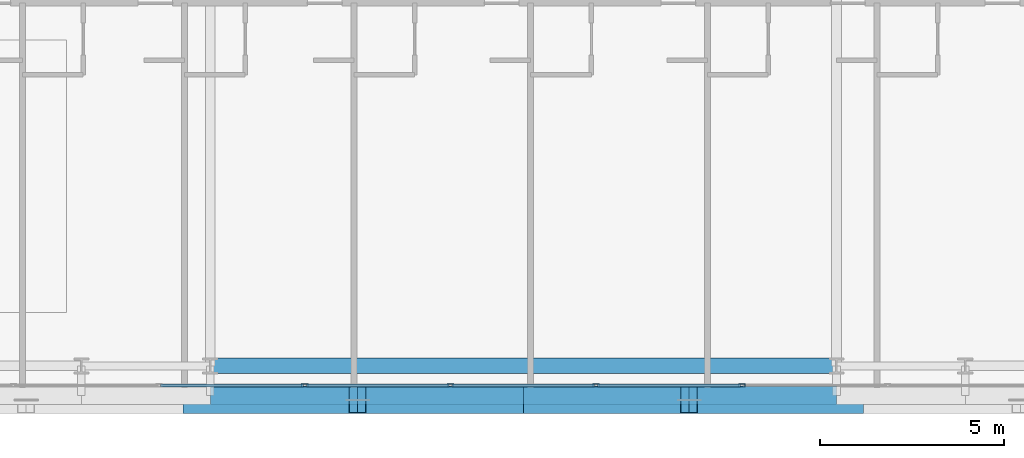
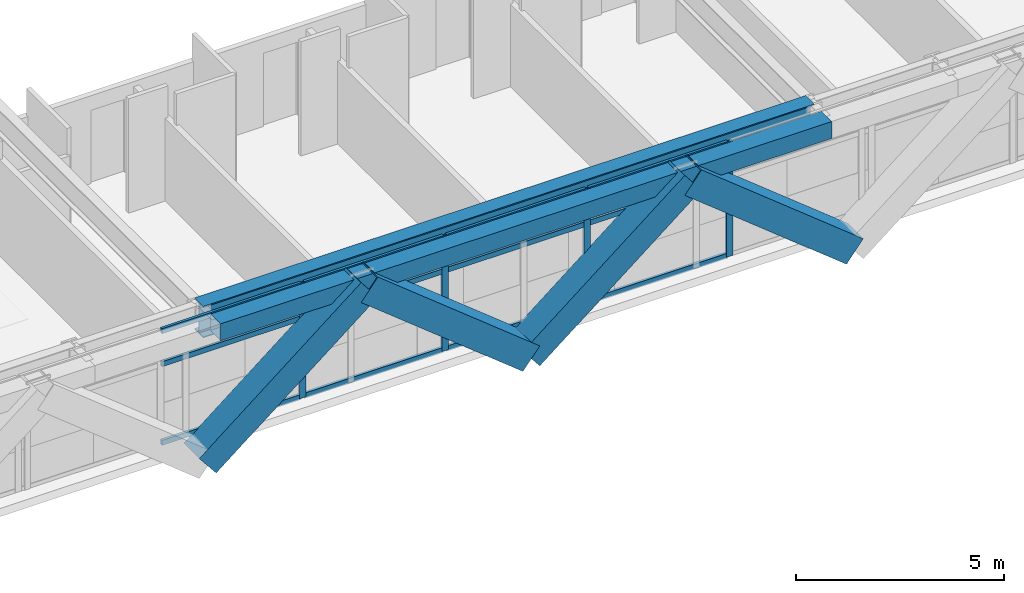
# One storey, part 5 of 39: 20 members, 2 beams, 1 element without a shape of its own.
"""IFC4 building model written with IfcOpenShell, lengths in metres."""

import ifcopenshell
import ifcopenshell.guid

model = None  # the IFC model being written
_history = None  # IfcOwnerHistory: only IFC2X3 demands one
_inside = {}  # id of a spatial element -> (the spatial element, [elements in it])
_under = {}  # id of a project, library or spatial element -> (it, [spatial elements below it])
_declared = {}  # id of a project -> (the project, [libraries it declares])
_typed = {}  # id of a type object -> (the type object, [elements of that type])
_made_of = {}  # id of a material, layer set ... -> (it, [elements and type objects made of it])


def new_model(schema):
    """Start an empty IFC model of exactly this schema.

    Asked for "IFC4X3", IfcOpenShell would pick the latest addendum, in which some entities
    have other attributes; the version numbers below select the first issue.
    IFC2X3 requires an IfcOwnerHistory on every rooted entity: one is made here for all.
    """
    global model, _history
    if schema == "IFC4X3":
        model = ifcopenshell.file(schema_version=(4, 3, 0, 0))
    else:
        model = ifcopenshell.file(schema=schema)
    _inside.clear()
    _under.clear()
    _declared.clear()
    _typed.clear()
    _made_of.clear()
    _history = None
    if model.schema == "IFC2X3":
        org = make("IfcOrganization", Name="unknown")
        user = make(
            "IfcPersonAndOrganization",
            ThePerson=make("IfcPerson", FamilyName="unknown"),
            TheOrganization=org,
        )
        app = make(
            "IfcApplication",
            ApplicationDeveloper=org,
            Version="unknown",
            ApplicationFullName="unknown",
            ApplicationIdentifier="unknown",
        )
        _history = make(
            "IfcOwnerHistory",
            OwningUser=user,
            OwningApplication=app,
            ChangeAction="ADDED",
            CreationDate=0,
        )
    return model


def make(cls, **values):
    """One entity of the class cls with the attributes given. An attribute that is None is left unset."""
    return model.create_entity(
        cls, **{name: value for name, value in values.items() if value is not None}
    )


def rooted(cls, **values):
    """An entity with a GlobalId (a new one), such as an element, a storey or a relation."""
    return make(cls, GlobalId=ifcopenshell.guid.new(), OwnerHistory=_history, **values)


def si_unit(unit_type, name, prefix=None):
    """IfcSIUnit, for example si_unit("LENGTHUNIT", "METRE", prefix="MILLI")."""
    return make("IfcSIUnit", UnitType=unit_type, Prefix=prefix, Name=name)


def assignment(units):
    """IfcUnitAssignment: the units of a project."""
    return None if units is None else make("IfcUnitAssignment", Units=units)


def point(xyz):
    """IfcCartesianPoint."""
    return None if xyz is None else make("IfcCartesianPoint", Coordinates=xyz)


def direction(xyz):
    """IfcDirection."""
    return None if xyz is None else make("IfcDirection", DirectionRatios=xyz)


def frame(location, z_axis=None, x_axis=None):
    """IfcAxis2Placement3D, a coordinate frame: its origin and axes. An axis left out is left unset."""
    return make(
        "IfcAxis2Placement3D",
        Location=point(location),
        Axis=direction(z_axis),
        RefDirection=direction(x_axis),
    )


def frame_2d(location, x_axis=None):
    """IfcAxis2Placement2D, a coordinate frame in the plane: its origin and x axis."""
    return make(
        "IfcAxis2Placement2D", Location=point(location), RefDirection=direction(x_axis)
    )


def origin():
    """The frame at (0, 0, 0) with its axes left unset."""
    return frame((0.0, 0.0, 0.0))


def origin_2d():
    """The frame at (0, 0) in the plane with its x axis left unset."""
    return frame_2d((0.0, 0.0))


def place(relative_to, where):
    """IfcLocalPlacement: puts the frame where relative to a parent placement (None: the world)."""
    return make(
        "IfcLocalPlacement", PlacementRelTo=relative_to, RelativePlacement=where
    )


def context(
    kind, dimensions, precision=None, world=None, true_north=None, identifier=None
):
    """IfcGeometricRepresentationContext, for example the 3D "Model" context."""
    return make(
        "IfcGeometricRepresentationContext",
        ContextIdentifier=identifier,
        ContextType=kind,
        CoordinateSpaceDimension=dimensions,
        Precision=precision,
        WorldCoordinateSystem=world,
        TrueNorth=true_north,
    )


def subcontext(parent, identifier, kind, view, scale=None):
    """IfcGeometricRepresentationSubContext, for example "Body" below "Model"."""
    return make(
        "IfcGeometricRepresentationSubContext",
        ContextIdentifier=identifier,
        ContextType=kind,
        ParentContext=parent,
        TargetScale=scale,
        TargetView=view,
    )


def project(units=None, contexts=None):
    """IfcProject with its units and contexts."""
    return rooted(
        "IfcProject",
        Name="project",
        RepresentationContexts=contexts,
        UnitsInContext=assignment(units),
    )


def spatial(cls, under=None, at=None, **own):
    """A site, building, storey or space (cls), placed at a placement, below another one or the project."""
    s = rooted(cls, ObjectPlacement=at, **own)
    if under is not None:
        _under.setdefault(under.id(), (under, []))[1].append(s)
    return s


def profile(cls, at=None, kind="AREA", **sizes):
    """A parametric profile (cls). Its sizes go by their IFC names, for example OverallWidth=200.0."""
    return make(cls, ProfileType=kind, Position=at, **sizes)


def hollow_rectangle(**sizes):
    """IfcRectangleHollowProfileDef."""
    return profile("IfcRectangleHollowProfileDef", **sizes)


def i_section(**sizes):
    """IfcIShapeProfileDef."""
    return profile("IfcIShapeProfileDef", **sizes)


def extrude(swept, where, along, depth):
    """IfcExtrudedAreaSolid: the profile swept, set in the frame where, extruded along a direction by depth."""
    return make(
        "IfcExtrudedAreaSolid",
        SweptArea=swept,
        Position=where,
        ExtrudedDirection=direction(along),
        Depth=depth,
    )


def shape(context_of_items, identifier, shape_type, items):
    """IfcShapeRepresentation: the items that make up one representation, for example the "Body"."""
    return make(
        "IfcShapeRepresentation",
        ContextOfItems=context_of_items,
        RepresentationIdentifier=identifier,
        RepresentationType=shape_type,
        Items=items,
    )


def source(mapping_origin, context_of_items, identifier, shape_type, items):
    """IfcRepresentationMap: a shape defined once, which mapped items show again and again."""
    return make(
        "IfcRepresentationMap",
        MappingOrigin=mapping_origin,
        MappedRepresentation=shape(context_of_items, identifier, shape_type, items),
    )


def transform(
    local_origin,
    x_axis=None,
    y_axis=None,
    z_axis=None,
    scale=None,
    scale2=None,
    scale3=None,
    uniform=True,
):
    """IfcCartesianTransformationOperator3D, or its non-uniform kind. x_axis, y_axis, z_axis: its Axis1, 2, 3."""
    if uniform:
        return make(
            "IfcCartesianTransformationOperator3D",
            Axis1=direction(x_axis),
            Axis2=direction(y_axis),
            LocalOrigin=point(local_origin),
            Scale=scale,
            Axis3=direction(z_axis),
        )
    return make(
        "IfcCartesianTransformationOperator3DnonUniform",
        Axis1=direction(x_axis),
        Axis2=direction(y_axis),
        LocalOrigin=point(local_origin),
        Scale=scale,
        Axis3=direction(z_axis),
        Scale2=scale2,
        Scale3=scale3,
    )


def mapped(mapping_source, mapping_target):
    """IfcMappedItem: shows the shape of a source again, moved by a transform."""
    return make(
        "IfcMappedItem", MappingSource=mapping_source, MappingTarget=mapping_target
    )


def material(Name=None, Category=None):
    """IfcMaterial."""
    return make("IfcMaterial", Name=Name, Category=Category)


def layer(
    of_material, thickness, ventilated=None, Name=None, Category=None, Priority=None
):
    """IfcMaterialLayer: one layer of a wall or slab, of a material (None: an air gap)."""
    return make(
        "IfcMaterialLayer",
        Material=of_material,
        LayerThickness=thickness,
        IsVentilated=ventilated,
        Name=Name,
        Category=Category,
        Priority=Priority,
    )


def layer_set(layers, Name=None):
    """IfcMaterialLayerSet."""
    return make("IfcMaterialLayerSet", MaterialLayers=layers, LayerSetName=Name)


def material_profile(
    of_material, cross_section, Name=None, Category=None, Priority=None
):
    """IfcMaterialProfile: a cross section and its material."""
    return make(
        "IfcMaterialProfile",
        Name=Name,
        Material=of_material,
        Profile=cross_section,
        Priority=Priority,
        Category=Category,
    )


def profile_set(profiles, Name=None, composite=None):
    """IfcMaterialProfileSet."""
    return make(
        "IfcMaterialProfileSet",
        Name=Name,
        MaterialProfiles=profiles,
        CompositeProfile=composite,
    )


def made_of(thing, what):
    """Note that an element or type object is made of a material, layer set ...; save() writes the relation."""
    if what is not None:
        _made_of.setdefault(what.id(), (what, []))[1].append(thing)
    return thing


def type_object(cls, material=None, **own):
    """A type object (cls), such as IfcWallType, which elements share."""
    return made_of(rooted(cls, **own), material)


def element(
    cls,
    number,
    at=None,
    inside=None,
    cuts=None,
    type_object=None,
    material=None,
    context=None,
    identifier="Body",
    shape_type=None,
    held_by="IfcProductDefinitionShape",
    body=None,
    shapes=None,
    **own,
):
    """One element of the class cls, such as IfcWall. Its Tag is "e" and its number.

    at: its placement. inside: the storey or other place that contains it. cuts: it is an
    opening in that element (IfcRelVoidsElement). A single representation is given by context,
    identifier, shape_type and body (its items); several are given by shapes. held_by: the class
    of the entity that holds the representations. save() writes the other relations.
    """
    e = rooted(cls, Tag="e%d" % number, ObjectPlacement=at, **own)
    if body is not None:
        shapes = [shape(context, identifier, shape_type, body)]
    if shapes is not None:
        e.Representation = make(held_by, Representations=shapes)
    if inside is not None:
        _inside.setdefault(inside.id(), (inside, []))[1].append(e)
    if cuts is not None:
        rooted(
            "IfcRelVoidsElement", RelatingBuildingElement=cuts, RelatedOpeningElement=e
        )
    if type_object is not None:
        _typed.setdefault(type_object.id(), (type_object, []))[1].append(e)
    return made_of(e, material)


def aggregate(whole, parts):
    """IfcRelAggregates: a whole, such as a stair, and the parts it consists of."""
    return rooted("IfcRelAggregates", RelatingObject=whole, RelatedObjects=parts)


def save(model, path):
    """Write the relations noted so far, then the file.

    IfcRelAggregates (storeys below a building ...), IfcRelContainedInSpatialStructure (elements
    in a storey), IfcRelDefinesByType, IfcRelAssociatesMaterial and IfcRelDeclares: one each for
    every whole, place, type object, material and project.
    """
    for whole, parts in _under.values():
        aggregate(whole, parts)
    for where, things in _inside.values():
        rooted(
            "IfcRelContainedInSpatialStructure",
            RelatedElements=things,
            RelatingStructure=where,
        )
    for kind, things in _typed.values():
        rooted("IfcRelDefinesByType", RelatedObjects=things, RelatingType=kind)
    for what, things in _made_of.values():
        rooted("IfcRelAssociatesMaterial", RelatedObjects=things, RelatingMaterial=what)
    for by, libraries in _declared.values():
        rooted("IfcRelDeclares", RelatingContext=by, RelatedDefinitions=libraries)
    model.write(path)


model = new_model("IFC4")

# Units and contexts
model_context = context("Model", 3, precision=1e-05, world=origin(), true_north=direction((0.0, 1.0)))
body_context = subcontext(model_context, "Body", "Model", "MODEL_VIEW")
ifc_project = project(units=[si_unit("LENGTHUNIT", "METRE"), si_unit("AREAUNIT", "SQUARE_METRE"), si_unit("VOLUMEUNIT", "CUBIC_METRE"), si_unit("PLANEANGLEUNIT", "RADIAN"), si_unit("MASSUNIT", "GRAM", prefix="KILO")], contexts=[model_context])

# Site, building, storey
site_placement = place(None, origin())
site = spatial("IfcSite", under=ifc_project, at=site_placement, CompositionType="ELEMENT")
building_placement = place(site_placement, origin())
building = spatial("IfcBuilding", under=site, at=building_placement, Name="Ocotamira Hotel", CompositionType="ELEMENT")
storey_placement = place(building_placement, frame((0.0, 0.0, 104.39990234375)))
storey = spatial("IfcBuildingStorey", under=building, at=storey_placement, Name="L25", CompositionType="ELEMENT", Elevation=104.39990234375)

# Beams
ifc_material_1 = material(Name="Steel ASTM A992 Grade 50", Category="steel")
ifc_material_profile_1 = material_profile(ifc_material_1, i_section(OverallWidth=0.41796875, OverallDepth=0.927001953125, WebThickness=0.019287109375, FlangeThickness=0.031982421875, FilletRadius=0.02392578125, at=origin_2d()), Name="W36X231")
ifc_profile_set_1 = profile_set([ifc_material_profile_1], Name="Steel ASTM A992 Grade 50")
beam_type_1 = type_object("IfcBeamType", Name="BM-GIRD-W36X231", PredefinedType="BEAM", material=ifc_profile_set_1)
shared_shape_1 = source(origin(), body_context, "Body", "SweptSolid", [
    extrude(i_section(OverallWidth=0.41796875, OverallDepth=0.927001953125, WebThickness=0.019287109375, FlangeThickness=0.031982421875, FilletRadius=0.02392578125, at=origin_2d()), origin(), (0.0, 0.0, 1.0), 17.0),
])
beam_1_placement = place(storey_placement, frame((23.5, 2.949951171875, 2.896484375), z_axis=(1.0, 0.0, 0.0), x_axis=(0.0, 1.0, 0.0)))
element("IfcBeam", 1, at=beam_1_placement, inside=storey, type_object=beam_type_1, Name="L25 Girder Y2.95 X23.5-40.5", PredefinedType="BEAM", context=body_context, shape_type="MappedRepresentation", body=[
    mapped(shared_shape_1, transform((0.0, 0.0, 0.0), scale=1.0)),
])
ifc_material_2 = material(Name="Steel ASTM A500 Grade C", Category="steel")
ifc_material_profile_2 = material_profile(ifc_material_2, hollow_rectangle(XDim=0.5, YDim=0.5, WallThickness=0.02001953125, at=origin_2d()), Name="HSS500X500X20")
ifc_profile_set_2 = profile_set([ifc_material_profile_2], Name="Steel ASTM A500 Grade C")
beam_type_2 = type_object("IfcBeamType", Name="BM-SPAN-HSS500", PredefinedType="USERDEFINED", material=ifc_profile_set_2)
shared_shape_2 = source(origin(), body_context, "Body", "SweptSolid", [
    extrude(hollow_rectangle(XDim=0.5, YDim=0.5, WallThickness=0.02001953125, at=origin_2d()), origin(), (0.0, 0.0, 1.0), 17.0),
])
beam_2_placement = place(storey_placement, frame((23.5, 2.14990234375, 3.110107421875), z_axis=(1.0, 0.0, 0.0), x_axis=(0.0, 1.0, 0.0)))
element("IfcBeam", 2, at=beam_2_placement, inside=storey, type_object=beam_type_2, Name="L25 Edge Spandrel S X23.5-40.5", ObjectType="SPANDREL", PredefinedType="USERDEFINED", context=body_context, shape_type="MappedRepresentation", body=[
    mapped(shared_shape_2, transform((0.0, 0.0, 0.0), scale=1.0)),
])

# Members
ifc_material_3 = material(Name="Pale-metal coated steel ASTM A913 Grade 65", Category="steel")
ifc_material_profile_3 = material_profile(ifc_material_3, hollow_rectangle(XDim=0.75, YDim=0.75, WallThickness=0.028076171875, at=origin_2d()), Name="BOX750X750X28")
ifc_profile_set_3 = profile_set([ifc_material_profile_3], Name="Pale-metal coated steel ASTM A913 Grade 65")
member_type_1 = type_object("IfcMemberType", Name="MEM-EXO-BOX750", PredefinedType="BRACE", material=ifc_profile_set_3)
shared_shape_3 = source(origin(), body_context, "Body", "SweptSolid", [
    extrude(hollow_rectangle(XDim=0.75, YDim=0.75, WallThickness=0.028076171875, at=origin_2d()), origin(), (0.0, 0.0, 1.0), 5.762939453125),
])
for number, where, z_axis, x_axis, name in (
    (3, (23.0, 2.030029296875, -0.489990234375), (0.780860543151, 0.0, 0.624705380279), (0.0, 1.0, 0.0), "L25 Exoskeleton Diagrid S1.1"),
    (4, (32.0, 2.030029296875, -0.489990234375), (-0.780860543151, 0.0, 0.624705380279), (0.0, -1.0, 0.0), "L25 Exoskeleton Diagrid S1.2"),
    (5, (32.0, 2.030029296875, -0.489990234375), (0.780860543151, 0.0, 0.624705380279), (0.0, 1.0, 0.0), "L25 Exoskeleton Diagrid S2.1"),
    (6, (41.0, 2.030029296875, -0.489990234375), (-0.780860543151, 0.0, 0.624705380279), (0.0, -1.0, 0.0), "L25 Exoskeleton Diagrid S2.2"),
):
    element("IfcMember", number, at=place(storey_placement, frame(where, z_axis=z_axis, x_axis=x_axis)), inside=storey, type_object=member_type_1, Name=name, PredefinedType="BRACE", context=body_context, shape_type="MappedRepresentation", body=[
        mapped(shared_shape_3, transform((0.0, 0.0, 0.0), scale=1.0)),
    ])

# Curtain wall, members
ifc_material_4 = material(Name="Anodised pale-metal aluminium and solar glass", Category="aluminium")
ifc_layer = layer(ifc_material_4, 0.179931640625)
ifc_layer_set = layer_set([ifc_layer], Name="Anodised pale-metal aluminium and solar glass")
curtain_wall_type = type_object("IfcCurtainWallType", Name="CW-SYS3-Z2", PredefinedType="NOTDEFINED", material=ifc_layer_set)
curtain_wall_placement = place(storey_placement, origin())
curtain_wall = element("IfcCurtainWall", 7, at=curtain_wall_placement, inside=storey, type_object=curtain_wall_type, Name="L25 Curtain Wall CW-3 CW-L25-S1", PredefinedType="NOTDEFINED")
ifc_material_5 = material(Name="Anodised pale-metal aluminium 6063-T6", Category="aluminium")
ifc_material_profile_4 = material_profile(ifc_material_5, hollow_rectangle(XDim=0.074951171875, YDim=0.14990234375, WallThickness=0.006103515625, at=origin_2d()), Name="HSS150X75X6")
ifc_profile_set_4 = profile_set([ifc_material_profile_4], Name="Anodised pale-metal aluminium 6063-T6")
member_type_2 = type_object("IfcMemberType", Name="CWT-150X75", PredefinedType="USERDEFINED", material=ifc_profile_set_4)
shared_shape_4 = source(origin(), body_context, "Body", "SweptSolid", [
    extrude(hollow_rectangle(XDim=0.074951171875, YDim=0.14990234375, WallThickness=0.006103515625, at=origin_2d()), origin(), (0.0, 0.0, 1.0), 3.87548828125),
])
member_1_placement = place(storey_placement, frame((22.151123046875, 2.419921875, 0.03759765625), z_axis=(1.0, 0.0, 0.0), x_axis=(0.0, 1.0, 0.0)))
member_1 = element("IfcMember", 8, at=member_1_placement, type_object=member_type_2, Name="CW-3 transom 3.1", ObjectType="TRANSOM", PredefinedType="USERDEFINED", context=body_context, shape_type="MappedRepresentation", body=[
    mapped(shared_shape_4, transform((0.0, 0.0, 0.0), scale=1.0)),
])
member_2_placement = place(storey_placement, frame((22.151123046875, 2.419921875, 2.35009765625), z_axis=(1.0, 0.0, 0.0), x_axis=(0.0, 1.0, 0.0)))
member_2 = element("IfcMember", 9, at=member_2_placement, type_object=member_type_2, Name="CW-3 transom 3.2", ObjectType="TRANSOM", PredefinedType="USERDEFINED", context=body_context, shape_type="MappedRepresentation", body=[
    mapped(shared_shape_4, transform((0.0, 0.0, 0.0), scale=1.0)),
])
member_3_placement = place(storey_placement, frame((22.151123046875, 2.419921875, 3.322509765625), z_axis=(1.0, 0.0, 0.0), x_axis=(0.0, 1.0, 0.0)))
member_3 = element("IfcMember", 10, at=member_3_placement, type_object=member_type_2, Name="CW-3 transom 3.3", ObjectType="TRANSOM", PredefinedType="USERDEFINED", context=body_context, shape_type="MappedRepresentation", body=[
    mapped(shared_shape_4, transform((0.0, 0.0, 0.0), scale=1.0)),
])
member_4_placement = place(storey_placement, frame((26.106689453125, 2.419921875, 0.03759765625), z_axis=(1.0, 0.0, 0.0), x_axis=(0.0, 1.0, 0.0)))
member_4 = element("IfcMember", 11, at=member_4_placement, type_object=member_type_2, Name="CW-3 transom 4.1", ObjectType="TRANSOM", PredefinedType="USERDEFINED", context=body_context, shape_type="MappedRepresentation", body=[
    mapped(shared_shape_4, transform((0.0, 0.0, 0.0), scale=1.0)),
])
member_5_placement = place(storey_placement, frame((26.106689453125, 2.419921875, 2.35009765625), z_axis=(1.0, 0.0, 0.0), x_axis=(0.0, 1.0, 0.0)))
member_5 = element("IfcMember", 12, at=member_5_placement, type_object=member_type_2, Name="CW-3 transom 4.2", ObjectType="TRANSOM", PredefinedType="USERDEFINED", context=body_context, shape_type="MappedRepresentation", body=[
    mapped(shared_shape_4, transform((0.0, 0.0, 0.0), scale=1.0)),
])
member_6_placement = place(storey_placement, frame((26.106689453125, 2.419921875, 3.322509765625), z_axis=(1.0, 0.0, 0.0), x_axis=(0.0, 1.0, 0.0)))
member_6 = element("IfcMember", 13, at=member_6_placement, type_object=member_type_2, Name="CW-3 transom 4.3", ObjectType="TRANSOM", PredefinedType="USERDEFINED", context=body_context, shape_type="MappedRepresentation", body=[
    mapped(shared_shape_4, transform((0.0, 0.0, 0.0), scale=1.0)),
])
member_7_placement = place(storey_placement, frame((30.062255859375, 2.419921875, 0.03759765625), z_axis=(1.0, 0.0, 0.0), x_axis=(0.0, 1.0, 0.0)))
member_7 = element("IfcMember", 14, at=member_7_placement, type_object=member_type_2, Name="CW-3 transom 5.1", ObjectType="TRANSOM", PredefinedType="USERDEFINED", context=body_context, shape_type="MappedRepresentation", body=[
    mapped(shared_shape_4, transform((0.0, 0.0, 0.0), scale=1.0)),
])
member_8_placement = place(storey_placement, frame((30.062255859375, 2.419921875, 2.35009765625), z_axis=(1.0, 0.0, 0.0), x_axis=(0.0, 1.0, 0.0)))
member_8 = element("IfcMember", 15, at=member_8_placement, type_object=member_type_2, Name="CW-3 transom 5.2", ObjectType="TRANSOM", PredefinedType="USERDEFINED", context=body_context, shape_type="MappedRepresentation", body=[
    mapped(shared_shape_4, transform((0.0, 0.0, 0.0), scale=1.0)),
])
member_9_placement = place(storey_placement, frame((30.062255859375, 2.419921875, 3.322509765625), z_axis=(1.0, 0.0, 0.0), x_axis=(0.0, 1.0, 0.0)))
member_9 = element("IfcMember", 16, at=member_9_placement, type_object=member_type_2, Name="CW-3 transom 5.3", ObjectType="TRANSOM", PredefinedType="USERDEFINED", context=body_context, shape_type="MappedRepresentation", body=[
    mapped(shared_shape_4, transform((0.0, 0.0, 0.0), scale=1.0)),
])
member_10_placement = place(storey_placement, frame((34.017822265625, 2.419921875, 0.03759765625), z_axis=(1.0, 0.0, 0.0), x_axis=(0.0, 1.0, 0.0)))
member_10 = element("IfcMember", 17, at=member_10_placement, type_object=member_type_2, Name="CW-3 transom 6.1", ObjectType="TRANSOM", PredefinedType="USERDEFINED", context=body_context, shape_type="MappedRepresentation", body=[
    mapped(shared_shape_4, transform((0.0, 0.0, 0.0), scale=1.0)),
])
member_11_placement = place(storey_placement, frame((34.017822265625, 2.419921875, 2.35009765625), z_axis=(1.0, 0.0, 0.0), x_axis=(0.0, 1.0, 0.0)))
member_11 = element("IfcMember", 18, at=member_11_placement, type_object=member_type_2, Name="CW-3 transom 6.2", ObjectType="TRANSOM", PredefinedType="USERDEFINED", context=body_context, shape_type="MappedRepresentation", body=[
    mapped(shared_shape_4, transform((0.0, 0.0, 0.0), scale=1.0)),
])
member_12_placement = place(storey_placement, frame((34.017822265625, 2.419921875, 3.322509765625), z_axis=(1.0, 0.0, 0.0), x_axis=(0.0, 1.0, 0.0)))
member_12 = element("IfcMember", 19, at=member_12_placement, type_object=member_type_2, Name="CW-3 transom 6.3", ObjectType="TRANSOM", PredefinedType="USERDEFINED", context=body_context, shape_type="MappedRepresentation", body=[
    mapped(shared_shape_4, transform((0.0, 0.0, 0.0), scale=1.0)),
])
ifc_material_profile_5 = material_profile(ifc_material_5, hollow_rectangle(XDim=0.080078125, YDim=0.179931640625, WallThickness=0.006103515625, at=origin_2d()), Name="HSS180X80X6")
ifc_profile_set_5 = profile_set([ifc_material_profile_5], Name="Anodised pale-metal aluminium 6063-T6")
member_type_3 = type_object("IfcMemberType", Name="CWM-180X75", PredefinedType="MULLION", material=ifc_profile_set_5)
shared_shape_5 = source(origin(), body_context, "Body", "SweptSolid", [
    extrude(hollow_rectangle(XDim=0.080078125, YDim=0.179931640625, WallThickness=0.006103515625, at=origin_2d()), origin(), (0.0, 0.0, 1.0), 3.360107421875),
])
member_13_placement = place(storey_placement, frame((26.066650390625, 2.419921875, 0.0), z_axis=(0.0, 0.0, 1.0), x_axis=(0.0, 1.0, 0.0)))
member_13 = element("IfcMember", 20, at=member_13_placement, type_object=member_type_3, Name="CW-3 mullion 4", PredefinedType="MULLION", context=body_context, shape_type="MappedRepresentation", body=[
    mapped(shared_shape_5, transform((0.0, 0.0, 0.0), scale=1.0)),
])
member_14_placement = place(storey_placement, frame((30.022216796875, 2.419921875, 0.0), z_axis=(0.0, 0.0, 1.0), x_axis=(0.0, 1.0, 0.0)))
member_14 = element("IfcMember", 21, at=member_14_placement, type_object=member_type_3, Name="CW-3 mullion 5", PredefinedType="MULLION", context=body_context, shape_type="MappedRepresentation", body=[
    mapped(shared_shape_5, transform((0.0, 0.0, 0.0), scale=1.0)),
])
member_15_placement = place(storey_placement, frame((33.977783203125, 2.419921875, 0.0), z_axis=(0.0, 0.0, 1.0), x_axis=(0.0, 1.0, 0.0)))
member_15 = element("IfcMember", 22, at=member_15_placement, type_object=member_type_3, Name="CW-3 mullion 6", PredefinedType="MULLION", context=body_context, shape_type="MappedRepresentation", body=[
    mapped(shared_shape_5, transform((0.0, 0.0, 0.0), scale=1.0)),
])
member_16_placement = place(storey_placement, frame((37.933349609375, 2.419921875, 0.0), z_axis=(0.0, 0.0, 1.0), x_axis=(0.0, 1.0, 0.0)))
member_16 = element("IfcMember", 23, at=member_16_placement, type_object=member_type_3, Name="CW-3 mullion 7", PredefinedType="MULLION", context=body_context, shape_type="MappedRepresentation", body=[
    mapped(shared_shape_5, transform((0.0, 0.0, 0.0), scale=1.0)),
])
aggregate(curtain_wall, [member_13, member_14, member_15, member_16, member_1, member_2, member_3, member_4, member_5, member_6, member_7, member_8, member_9, member_10, member_11, member_12])

save(model, "model.ifc")
